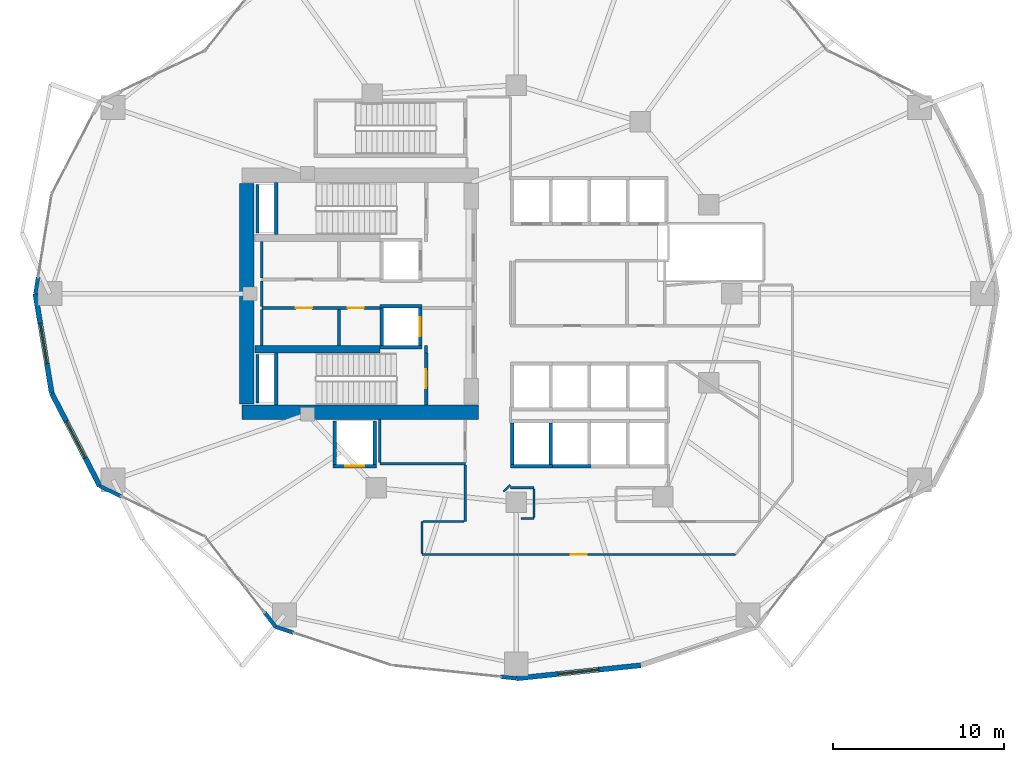
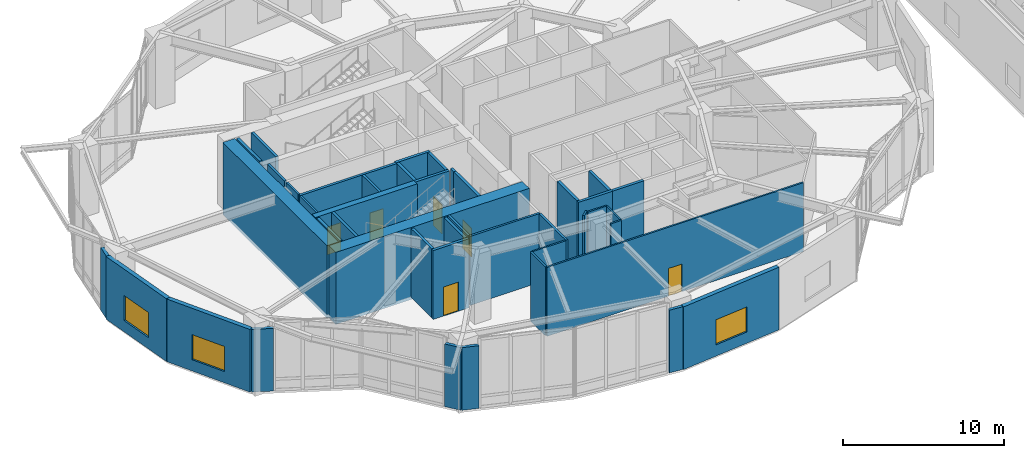
# One storey, part 21 of 29: 43 walls, 6 doors, 3 windows, 9 openings.
"""IFC4 building model written with IfcOpenShell, lengths in metres."""

from ifc_helpers import new_model, si_unit, direction, frame, frame_2d, origin, place, context, subcontext, project, spatial, rectangle, extrude, material, layer, layer_set, type_object, element, fill, save


model = new_model("IFC4")

# Units and contexts
model_context = context("Model", 3, precision=1e-05, world=origin(), true_north=direction((0.0, 1.0)))
body_context = subcontext(model_context, "Body", "Model", "MODEL_VIEW")
ifc_project = project(units=[si_unit("LENGTHUNIT", "METRE"), si_unit("AREAUNIT", "SQUARE_METRE"), si_unit("VOLUMEUNIT", "CUBIC_METRE"), si_unit("PLANEANGLEUNIT", "RADIAN"), si_unit("MASSUNIT", "GRAM", prefix="KILO")], contexts=[model_context])

# Site, building, storey
site_placement = place(None, origin())
site = spatial("IfcSite", under=ifc_project, at=site_placement, CompositionType="ELEMENT")
building_placement = place(site_placement, origin())
building = spatial("IfcBuilding", under=site, at=building_placement, Name="Kolvaren Gate Tower and Convention Centre", CompositionType="ELEMENT")
storey_placement = place(building_placement, frame((0.0, 0.0, 21.0)))
storey = spatial("IfcBuildingStorey", under=building, at=storey_placement, Name="L04", CompositionType="ELEMENT", Elevation=21.0)

# Wall
ifc_material_1 = material(Name="Autoclaved Aerated Masonry Blockwork Class 4 (4.0 MPa)", Category="masonry")
ifc_layer_1 = layer(ifc_material_1, 0.179931640625)
ifc_layer_set_1 = layer_set([ifc_layer_1], Name="Autoclaved Aerated Masonry Blockwork Class 4 (4.0 MPa)")
wall_type_1 = type_object("IfcWallType", Name="ARCH-WL-COMP-180", PredefinedType="SOLIDWALL", material=ifc_layer_set_1)
wall_1_placement = place(storey_placement, frame((24.85009765625, 23.5400390625, 0.0), z_axis=(0.0, 0.0, 1.0), x_axis=(0.0, 1.0, 0.0)))
element("IfcWall", 1, at=wall_1_placement, inside=storey, type_object=wall_type_1, Name="Interior Partition WL-L04-INT-001", PredefinedType="SOLIDWALL", context=body_context, shape_type="SweptSolid", body=[
    extrude(rectangle(XDim=0.419921875, YDim=0.179931640625, at=frame_2d((0.2099609375, 0.0))), origin(), (0.0, 0.0, 1.0), 5.219970703125),
])

# Wall, openings, doors
wall_2_placement = place(storey_placement, frame((15.25, 26.159912109375, 0.0), z_axis=(0.0, 0.0, 1.0), x_axis=(1.0, 0.0, 0.0)))
wall_2 = element("IfcWall", 2, at=wall_2_placement, inside=storey, type_object=wall_type_1, Name="Interior Partition WL-L04-INT-005", PredefinedType="SOLIDWALL", context=body_context, shape_type="SweptSolid", body=[
    extrude(rectangle(XDim=6.89990234375, YDim=0.179931640625, at=frame_2d((3.449951171875, 0.0))), origin(), (0.0, 0.0, 1.0), 5.219970703125),
])
opening_1_placement = place(wall_2_placement, frame((5.02001953125, 0.0, 0.0)))
opening_1 = element("IfcOpeningElement", 3, at=opening_1_placement, cuts=wall_2, Name="Opening DR-01", PredefinedType="OPENING", context=body_context, shape_type="SweptSolid", body=[
    extrude(rectangle(XDim=0.949951171875, YDim=2.10009765625, at=frame_2d((0.47509765625, 1.050048828125))), frame((0.0, 0.099853515625, 0.0), z_axis=(0.0, -1.0, 0.0), x_axis=(1.0, 0.0, 0.0)), (0.0, 0.0, 1.0), 0.199951171875),
])
opening_2_placement = place(wall_2_placement, frame((1.97998046875, 0.0, 0.0)))
opening_2 = element("IfcOpeningElement", 4, at=opening_2_placement, cuts=wall_2, Name="Opening DR-01", PredefinedType="OPENING", context=body_context, shape_type="SweptSolid", body=[
    extrude(rectangle(XDim=0.949951171875, YDim=2.10009765625, at=frame_2d((0.47509765625, 1.050048828125))), frame((0.0, 0.099853515625, 0.0), z_axis=(0.0, -1.0, 0.0), x_axis=(1.0, 0.0, 0.0)), (0.0, 0.0, 1.0), 0.199951171875),
])
ifc_material_2 = material(Name="Painted Architectural Steelwork ASTM A500 Grade C 345 MPa", Category="steel")
door_type_1 = type_object("IfcDoorType", Name="ARCH-DR-RISER-950", OperationType="SINGLE_SWING_RIGHT", PredefinedType="DOOR", material=ifc_material_2)
door_1_placement = place(opening_1_placement, origin())
door_1 = element("IfcDoor", 5, at=door_1_placement, inside=storey, type_object=door_type_1, Name="Domestic Water Meter Closet Door", OperationType="SINGLE_SWING_LEFT", OverallHeight=2.10009765625, OverallWidth=0.949951171875, PredefinedType="DOOR", context=body_context, shape_type="SweptSolid", body=[
    extrude(rectangle(XDim=0.949951171875, YDim=2.10009765625, at=frame_2d((0.47509765625, 1.050048828125))), frame((0.0, 0.02490234375, 0.0), z_axis=(0.0, -1.0, 0.0), x_axis=(1.0, 0.0, 0.0)), (0.0, 0.0, 1.0), 0.050048828125),
])
fill(opening_1, door_1)
door_2_placement = place(opening_2_placement, origin())
door_2 = element("IfcDoor", 6, at=door_2_placement, inside=storey, type_object=door_type_1, Name="Janitor Equipment Store Door", OperationType="SINGLE_SWING_LEFT", OverallHeight=2.10009765625, OverallWidth=0.949951171875, PredefinedType="DOOR", context=body_context, shape_type="SweptSolid", body=[
    extrude(rectangle(XDim=0.949951171875, YDim=2.10009765625, at=frame_2d((0.47509765625, 1.050048828125))), frame((0.0, 0.02490234375, 0.0), z_axis=(0.0, -1.0, 0.0), x_axis=(1.0, 0.0, 0.0)), (0.0, 0.0, 1.0), 0.050048828125),
])
fill(opening_2, door_2)

# Wall
wall_3_placement = place(storey_placement, frame((19.75, 23.9619140625, 0.0), z_axis=(0.0, 0.0, 1.0), x_axis=(0.0, 1.0, 0.0)))
element("IfcWall", 7, at=wall_3_placement, inside=storey, type_object=wall_type_1, Name="Interior Partition WL-L04-INT-007", PredefinedType="SOLIDWALL", context=body_context, shape_type="SweptSolid", body=[
    extrude(rectangle(XDim=2.106201171875, YDim=0.179931640625, at=frame_2d((1.05322265625, 0.0))), origin(), (0.0, 0.0, 1.0), 5.219970703125),
])

# Wall, opening, door
ifc_material_3 = material(Name="Fire-Rated Acoustic Gypsum Stud Partition", Category="gypsum")
ifc_layer_2 = layer(ifc_material_3, 0.1201171875)
ifc_layer_set_2 = layer_set([ifc_layer_2], Name="Fire-Rated Acoustic Gypsum Stud Partition")
wall_type_2 = type_object("IfcWallType", Name="ARCH-WL-PART-120", PredefinedType="PARTITIONING", material=ifc_layer_set_2)
wall_4_placement = place(storey_placement, frame((24.60009765625, 11.75, 0.0), z_axis=(0.0, 0.0, 1.0), x_axis=(1.0, 0.0, 0.0)))
wall_4 = element("IfcWall", 8, at=wall_4_placement, inside=storey, type_object=wall_type_2, Name="Interior Partition WL-L04-INT-027", PredefinedType="PARTITIONING", context=body_context, shape_type="SweptSolid", body=[
    extrude(rectangle(XDim=18.35693359375, YDim=0.1201171875, at=frame_2d((9.178466796875, 0.0))), origin(), (0.0, 0.0, 1.0), 5.219970703125),
])
opening_3_placement = place(wall_4_placement, frame((8.70361328125, 0.0, 0.0)))
opening_3 = element("IfcOpeningElement", 9, at=opening_3_placement, cuts=wall_4, Name="Opening DR-01", PredefinedType="OPENING", context=body_context, shape_type="SweptSolid", body=[
    extrude(rectangle(XDim=0.949951171875, YDim=2.10009765625, at=frame_2d((0.47509765625, 1.050048828125))), frame((0.0, 0.070068359375, 0.0), z_axis=(0.0, -1.0, 0.0), x_axis=(1.0, 0.0, 0.0)), (0.0, 0.0, 1.0), 0.14013671875),
])
door_3_placement = place(opening_3_placement, origin())
door_3 = element("IfcDoor", 10, at=door_3_placement, inside=storey, type_object=door_type_1, Name="Tower Podium Conference Room A Door", OperationType="SINGLE_SWING_LEFT", OverallHeight=2.10009765625, OverallWidth=0.949951171875, PredefinedType="DOOR", context=body_context, shape_type="SweptSolid", body=[
    extrude(rectangle(XDim=0.949951171875, YDim=2.10009765625, at=frame_2d((0.47509765625, 1.050048828125))), frame((0.0, 0.02490234375, 0.0), z_axis=(0.0, -1.0, 0.0), x_axis=(1.0, 0.0, 0.0)), (0.0, 0.0, 1.0), 0.050048828125),
])
fill(opening_3, door_3)

# Walls
wall_5_placement = place(storey_placement, frame((24.60009765625, 11.81201171875, 0.0), z_axis=(0.0, 0.0, 1.0), x_axis=(0.0, 1.0, 0.0)))
element("IfcWall", 11, at=wall_5_placement, inside=storey, type_object=wall_type_2, Name="Interior Partition WL-L04-INT-028", PredefinedType="PARTITIONING", context=body_context, shape_type="SweptSolid", body=[
    extrude(rectangle(XDim=1.85791015625, YDim=0.1201171875, at=frame_2d((0.928955078125, 0.0))), origin(), (0.0, 0.0, 1.0), 5.219970703125),
])
wall_6_placement = place(storey_placement, frame((24.662109375, 13.669921875, 0.0), z_axis=(0.0, 0.0, 1.0), x_axis=(1.0, 0.0, 0.0)))
element("IfcWall", 12, at=wall_6_placement, inside=storey, type_object=wall_type_2, Name="Interior Partition WL-L04-INT-029", PredefinedType="PARTITIONING", context=body_context, shape_type="SweptSolid", body=[
    extrude(rectangle(XDim=2.410888671875, YDim=0.1201171875, at=frame_2d((1.20556640625, 0.0))), origin(), (0.0, 0.0, 1.0), 5.219970703125),
])
wall_7_placement = place(storey_placement, frame((29.780029296875, 15.64990234375, 0.0), z_axis=(0.0, 0.0, 1.0), x_axis=(1.0, 0.0, 0.0)))
element("IfcWall", 13, at=wall_7_placement, inside=storey, type_object=wall_type_2, Name="Interior Partition WL-L04-INT-033", PredefinedType="PARTITIONING", context=body_context, shape_type="SweptSolid", body=[
    extrude(rectangle(XDim=1.369873046875, YDim=0.1201171875, at=frame_2d((0.68505859375, 0.0))), origin(), (0.0, 0.0, 1.0), 5.219970703125),
])
wall_8_placement = place(storey_placement, frame((29.366943359375, 15.422119140625, 0.0), z_axis=(0.0, 0.0, 1.0), x_axis=(0.730667420492, 0.682733564893, 0.0)))
element("IfcWall", 14, at=wall_8_placement, inside=storey, type_object=wall_type_2, Name="Interior Partition WL-L04-INT-037", PredefinedType="PARTITIONING", context=body_context, shape_type="SweptSolid", body=[
    extrude(rectangle(XDim=0.5654296875, YDim=0.1201171875, at=frame_2d((0.28271484375, 0.0))), origin(), (0.0, 0.0, 1.0), 5.219970703125),
])
wall_9_placement = place(storey_placement, frame((30.39111328125, 13.85009765625, 0.0), z_axis=(0.0, 0.0, 1.0), x_axis=(1.0, 0.0, 0.0)))
element("IfcWall", 15, at=wall_9_placement, inside=storey, type_object=wall_type_2, Name="Interior Partition WL-L04-INT-038", PredefinedType="PARTITIONING", context=body_context, shape_type="SweptSolid", body=[
    extrude(rectangle(XDim=0.7587890625, YDim=0.1201171875, at=frame_2d((0.37939453125, 0.0))), origin(), (0.0, 0.0, 1.0), 5.219970703125),
])
wall_10_placement = place(storey_placement, frame((31.14990234375, 13.912109375, 0.0), z_axis=(0.0, 0.0, 1.0), x_axis=(0.0, 1.0, 0.0)))
element("IfcWall", 16, at=wall_10_placement, inside=storey, type_object=wall_type_2, Name="Interior Partition WL-L04-INT-039", PredefinedType="PARTITIONING", context=body_context, shape_type="SweptSolid", body=[
    extrude(rectangle(XDim=1.67578125, YDim=0.1201171875, at=frame_2d((0.837890625, 0.0))), origin(), (0.0, 0.0, 1.0), 5.219970703125),
])
ifc_material_4 = material(Name="Bogota Sabana Bush-Hammered Sandstone Cladding", Category="masonry")
ifc_layer_3 = layer(ifc_material_4, 0.219970703125)
ifc_layer_set_3 = layer_set([ifc_layer_3], Name="Bogota Sabana Bush-Hammered Sandstone Cladding")
wall_type_3 = type_object("IfcWallType", Name="ARCH-WL-PIER-220", PredefinedType="SOLIDWALL", material=ifc_layer_set_3)
wall_11_placement = place(storey_placement, frame((2.0, 27.0, 0.0), z_axis=(0.0, 0.0, 1.0), x_axis=(0.162253212939, 0.986749154999, 0.0)))
element("IfcWall", 17, at=wall_11_placement, inside=storey, type_object=wall_type_3, Name="Tower L04 Unitised Curtain Wall CW-POD-GLZ Bay 11 Left Column Pier Wrap", PredefinedType="SOLIDWALL", context=body_context, shape_type="SweptSolid", body=[
    extrude(rectangle(XDim=0.97802734375, YDim=0.219970703125, at=frame_2d((0.489013671875, 0.0))), origin(), (0.0, 0.0, 1.0), 4.742919921875),
])
wall_12_placement = place(storey_placement, frame((5.76806640625, 15.75, 0.0), z_axis=(0.0, 0.0, 1.0), x_axis=(0.90131879969, -0.433156347438, 0.0)))
element("IfcWall", 18, at=wall_12_placement, inside=storey, type_object=wall_type_3, Name="Tower L04 Unitised Curtain Wall CW-POD-GLZ Bay 14 Left Column Pier Wrap", PredefinedType="SOLIDWALL", context=body_context, shape_type="SweptSolid", body=[
    extrude(rectangle(XDim=1.380859375, YDim=0.219970703125, at=frame_2d((0.6904296875, 0.0))), origin(), (0.0, 0.0, 1.0), 4.742919921875),
])
wall_13_placement = place(storey_placement, frame((15.39892578125, 8.36181640625, 0.0), z_axis=(0.0, 0.0, 1.0), x_axis=(0.616528421162, -0.787332652632, 0.0)))
element("IfcWall", 19, at=wall_13_placement, inside=storey, type_object=wall_type_3, Name="Tower L04 Unitised Curtain Wall CW-POD-GLZ Bay 15 Right Column Pier Wrap", PredefinedType="SOLIDWALL", context=body_context, shape_type="SweptSolid", body=[
    extrude(rectangle(XDim=1.076416015625, YDim=0.219970703125, at=frame_2d((0.5380859375, 0.0))), origin(), (0.0, 0.0, 1.0), 4.742919921875),
])
wall_14_placement = place(storey_placement, frame((16.0625, 7.514404296875, 0.0), z_axis=(0.0, 0.0, 1.0), x_axis=(0.949217086672, -0.314621872045, 0.0)))
element("IfcWall", 20, at=wall_14_placement, inside=storey, type_object=wall_type_3, Name="Tower L04 Unitised Curtain Wall CW-POD-GLZ Bay 16 Left Column Pier Wrap", PredefinedType="SOLIDWALL", context=body_context, shape_type="SweptSolid", body=[
    extrude(rectangle(XDim=1.094970703125, YDim=0.219970703125, at=frame_2d((0.54736328125, 0.0))), origin(), (0.0, 0.0, 1.0), 4.742919921875),
])
wall_15_placement = place(storey_placement, frame((29.201416015625, 4.597412109375, 0.0), z_axis=(0.0, 0.0, 1.0), x_axis=(0.994483824972, -0.104890046567, 0.0)))
element("IfcWall", 21, at=wall_15_placement, inside=storey, type_object=wall_type_3, Name="Tower L04 Unitised Curtain Wall CW-POD-GLZ Bay 17 Right Column Pier Wrap", PredefinedType="SOLIDWALL", context=body_context, shape_type="SweptSolid", body=[
    extrude(rectangle(XDim=0.9287109375, YDim=0.219970703125, at=frame_2d((0.46435546875, 0.0))), origin(), (0.0, 0.0, 1.0), 4.742919921875),
])
ifc_layer_4 = layer(ifc_material_1, 0.199951171875)
ifc_layer_set_4 = layer_set([ifc_layer_4], Name="Autoclaved Aerated Masonry Blockwork Class 4 (4.0 MPa)")
wall_type_4 = type_object("IfcWallType", Name="ARCH-WL-SHAFT-200", PredefinedType="SOLIDWALL", material=ifc_layer_set_4)
for number, where, z_axis, x_axis, name in (
    (22, (22.14990234375, 26.260009765625, 0.0), (0.0, 0.0, 1.0), (1.0, 0.0, 0.0), "Elevator FF-02 L04 Fire Shaft Wall N"),
    (23, (22.14990234375, 23.860107421875, 0.0), (0.0, 0.0, 1.0), (1.0, 0.0, 0.0), "Elevator FF-02 L04 Fire Shaft Wall S"),
):
    element("IfcWall", number, at=place(storey_placement, frame(where, z_axis=z_axis, x_axis=x_axis)), inside=storey, type_object=wall_type_4, Name=name, PredefinedType="SOLIDWALL", context=body_context, shape_type="SweptSolid", body=[
        extrude(rectangle(XDim=2.4501953125, YDim=0.199951171875, at=frame_2d((1.22509765625, 0.0))), origin(), (0.0, 0.0, 1.0), 5.219970703125),
    ])
wall_16_placement = place(storey_placement, frame((22.25, 23.969970703125, 0.0), z_axis=(0.0, 0.0, 1.0), x_axis=(0.0, 1.0, 0.0)))
element("IfcWall", 24, at=wall_16_placement, inside=storey, type_object=wall_type_4, Name="Elevator FF-02 L04 Fire Shaft Wall W", PredefinedType="SOLIDWALL", context=body_context, shape_type="SweptSolid", body=[
    extrude(rectangle(XDim=2.179931640625, YDim=0.199951171875, at=frame_2d((1.08984375, 0.0))), origin(), (0.0, 0.0, 1.0), 5.219970703125),
])

# Wall, opening, door
wall_17_placement = place(storey_placement, frame((24.5, 23.969970703125, 0.0), z_axis=(0.0, 0.0, 1.0), x_axis=(0.0, 1.0, 0.0)))
wall_17 = element("IfcWall", 25, at=wall_17_placement, inside=storey, type_object=wall_type_4, Name="Elevator FF-02 L04 Fire Shaft Wall E", PredefinedType="SOLIDWALL", context=body_context, shape_type="SweptSolid", body=[
    extrude(rectangle(XDim=2.179931640625, YDim=0.199951171875, at=frame_2d((1.08984375, 0.0))), origin(), (0.0, 0.0, 1.0), 5.219970703125),
])
opening_4_placement = place(wall_17_placement, frame((0.5400390625, 0.0, 0.0)))
opening_4 = element("IfcOpeningElement", 26, at=opening_4_placement, cuts=wall_17, Name="Opening LD", PredefinedType="OPENING", context=body_context, shape_type="SweptSolid", body=[
    extrude(rectangle(XDim=1.10009765625, YDim=2.199951171875, at=frame_2d((0.550048828125, 1.10009765625))), frame((0.0, 0.10986328125, 0.0), z_axis=(0.0, -1.0, 0.0), x_axis=(1.0, 0.0, 0.0)), (0.0, 0.0, 1.0), 0.219970703125),
])
ifc_material_5 = material(Name="Brushed Stainless Steel Grade 316L", Category="steel")
door_type_2 = type_object("IfcDoorType", Name="ARCH-DR-LIFT-1100", OperationType="SLIDING_TO_LEFT", PredefinedType="DOOR", material=ifc_material_5)
door_4_placement = place(opening_4_placement, origin())
door_4 = element("IfcDoor", 27, at=door_4_placement, inside=storey, type_object=door_type_2, Name="Elevator FF-02 L04 Sliding Landing Door", OperationType="SLIDING_TO_LEFT", OverallHeight=2.199951171875, OverallWidth=1.10009765625, PredefinedType="DOOR", context=body_context, shape_type="SweptSolid", body=[
    extrude(rectangle(XDim=1.10009765625, YDim=2.199951171875, at=frame_2d((0.550048828125, 1.10009765625))), frame((0.0, 0.02490234375, 0.0), z_axis=(0.0, -1.0, 0.0), x_axis=(1.0, 0.0, 0.0)), (0.0, 0.0, 1.0), 0.050048828125),
])
fill(opening_4, door_4)

wall_18_placement = place(storey_placement, frame((19.39990234375, 16.89990234375, 0.0), z_axis=(0.0, 0.0, 1.0), x_axis=(1.0, 0.0, 0.0)))
wall_18 = element("IfcWall", 28, at=wall_18_placement, inside=storey, type_object=wall_type_4, Name="Elevator SV-01 L04 Fire Shaft Wall S", PredefinedType="SOLIDWALL", context=body_context, shape_type="SweptSolid", body=[
    extrude(rectangle(XDim=2.550048828125, YDim=0.199951171875, at=frame_2d((1.27490234375, 0.0))), origin(), (0.0, 0.0, 1.0), 5.219970703125),
])
opening_5_placement = place(wall_18_placement, frame((0.72509765625, 0.0, 0.0)))
opening_5 = element("IfcOpeningElement", 29, at=opening_5_placement, cuts=wall_18, Name="Opening LD", PredefinedType="OPENING", context=body_context, shape_type="SweptSolid", body=[
    extrude(rectangle(XDim=1.10009765625, YDim=2.199951171875, at=frame_2d((0.550048828125, 1.10009765625))), frame((0.0, 0.10986328125, 0.0), z_axis=(0.0, -1.0, 0.0), x_axis=(1.0, 0.0, 0.0)), (0.0, 0.0, 1.0), 0.219970703125),
])
door_5_placement = place(opening_5_placement, origin())
door_5 = element("IfcDoor", 30, at=door_5_placement, inside=storey, type_object=door_type_2, Name="Elevator SV-01 L04 Sliding Landing Door", OperationType="SLIDING_TO_LEFT", OverallHeight=2.199951171875, OverallWidth=1.10009765625, PredefinedType="DOOR", context=body_context, shape_type="SweptSolid", body=[
    extrude(rectangle(XDim=1.10009765625, YDim=2.199951171875, at=frame_2d((0.550048828125, 1.10009765625))), frame((0.0, 0.02490234375, 0.0), z_axis=(0.0, -1.0, 0.0), x_axis=(1.0, 0.0, 0.0)), (0.0, 0.0, 1.0), 0.050048828125),
])
fill(opening_5, door_5)

# Walls
for number, where, z_axis, x_axis, name in (
    (31, (19.5, 17.010009765625, 0.0), (0.0, 0.0, 1.0), (0.0, 1.0, 0.0), "Elevator SV-01 L04 Fire Shaft Wall W"),
    (32, (21.85009765625, 17.010009765625, 0.0), (0.0, 0.0, 1.0), (0.0, 1.0, 0.0), "Elevator SV-01 L04 Fire Shaft Wall E"),
):
    element("IfcWall", number, at=place(storey_placement, frame(where, z_axis=z_axis, x_axis=x_axis)), inside=storey, type_object=wall_type_4, Name=name, PredefinedType="SOLIDWALL", context=body_context, shape_type="SweptSolid", body=[
        extrude(rectangle(XDim=2.530029296875, YDim=0.199951171875, at=frame_2d((1.26513671875, 0.0))), origin(), (0.0, 0.0, 1.0), 5.219970703125),
    ])
wall_19_placement = place(storey_placement, frame((29.800048828125, 16.89990234375, 0.0), z_axis=(0.0, 0.0, 1.0), x_axis=(1.0, 0.0, 0.0)))
element("IfcWall", 33, at=wall_19_placement, inside=storey, type_object=wall_type_4, Name="Elevator PL-05 L04 Fire Shaft Wall S", PredefinedType="SOLIDWALL", context=body_context, shape_type="SweptSolid", body=[
    extrude(rectangle(XDim=2.449951171875, YDim=0.199951171875, at=frame_2d((1.22509765625, 0.0))), origin(), (0.0, 0.0, 1.0), 5.219970703125),
])
for number, where, z_axis, x_axis, name in (
    (34, (29.89990234375, 17.010009765625, 0.0), (0.0, 0.0, 1.0), (0.0, 1.0, 0.0), "Elevator PL-05 L04 Fire Shaft Wall W"),
    (35, (32.14990234375, 17.010009765625, 0.0), (0.0, 0.0, 1.0), (0.0, 1.0, 0.0), "Elevator PL-05 L04 Fire Shaft Wall E"),
):
    element("IfcWall", number, at=place(storey_placement, frame(where, z_axis=z_axis, x_axis=x_axis)), inside=storey, type_object=wall_type_4, Name=name, PredefinedType="SOLIDWALL", context=body_context, shape_type="SweptSolid", body=[
        extrude(rectangle(XDim=2.429931640625, YDim=0.199951171875, at=frame_2d((1.21484375, 0.0))), origin(), (0.0, 0.0, 1.0), 5.219970703125),
    ])
wall_20_placement = place(storey_placement, frame((32.25, 16.89990234375, 0.0), z_axis=(0.0, 0.0, 1.0), x_axis=(1.0, 0.0, 0.0)))
element("IfcWall", 36, at=wall_20_placement, inside=storey, type_object=wall_type_4, Name="Elevator PL-06 L04 Fire Shaft Wall S", PredefinedType="SOLIDWALL", context=body_context, shape_type="SweptSolid", body=[
    extrude(rectangle(XDim=2.25, YDim=0.199951171875, at=frame_2d((1.125, 0.0))), origin(), (0.0, 0.0, 1.0), 5.219970703125),
])
for number, where, z_axis, x_axis, name in (
    (37, (14.989990234375, 30.550048828125, 0.0), (0.0, 0.0, 1.0), (0.0, 1.0, 0.0), "Vertical Shaft HVR L04 EI-120 Enclosure Wall W"),
    (38, (14.989990234375, 20.60009765625, 0.0), (0.0, 0.0, 1.0), (0.0, 1.0, 0.0), "Vertical Shaft MPR L04 EI-120 Enclosure Wall W"),
):
    element("IfcWall", number, at=place(storey_placement, frame(where, z_axis=z_axis, x_axis=x_axis)), inside=storey, type_object=wall_type_4, Name=name, PredefinedType="SOLIDWALL", context=body_context, shape_type="SweptSolid", body=[
        extrude(rectangle(XDim=2.849853515625, YDim=0.199951171875, at=frame_2d((1.4248046875, 0.0))), origin(), (0.0, 0.0, 1.0), 5.219970703125),
    ])

# Wall, opening, window
ifc_material_6 = material(Name="Piedmont Cream Honed Limestone Cladding", Category="masonry")
ifc_layer_5 = layer(ifc_material_6, 0.300048828125)
ifc_layer_set_5 = layer_set([ifc_layer_5], Name="Piedmont Cream Honed Limestone Cladding")
wall_type_5 = type_object("IfcWallType", Name="ARCH-WL-STONE-300", PredefinedType="SOLIDWALL", material=ifc_layer_set_5)
wall_21_placement = place(storey_placement, frame((2.0, 27.0, 0.0), z_axis=(0.0, 0.0, 1.0), x_axis=(0.162366057843, -0.98673059305, 0.0)))
wall_21 = element("IfcWall", 39, at=wall_21_placement, inside=storey, type_object=wall_type_5, Name="Tower L04 Honed Stone Spandrel Wall EW-12", PredefinedType="SOLIDWALL", context=body_context, shape_type="SweptSolid", body=[
    extrude(rectangle(XDim=5.90185546875, YDim=0.300048828125, at=frame_2d((2.950927734375, 0.0))), origin(), (0.0, 0.0, 1.0), 4.742919921875),
])
opening_6_placement = place(wall_21_placement, frame((1.7509765625, 0.0, 0.85009765625)))
opening_6 = element("IfcOpeningElement", 40, at=opening_6_placement, cuts=wall_21, Name="Opening W-01", PredefinedType="OPENING", context=body_context, shape_type="SweptSolid", body=[
    extrude(rectangle(XDim=2.39990234375, YDim=1.89990234375, at=frame_2d((1.199951171875, 0.949951171875))), frame((0.0, 0.159912109375, 0.0), z_axis=(0.0, -1.0, 0.0), x_axis=(1.0, 0.0, 0.0)), (0.0, 0.0, 1.0), 0.320068359375),
])
ifc_material_7 = material(Name="Low-E Triple Insulated Glazing Unit 44 mm", Category="glass")
window_type = type_object("IfcWindowType", Name="ARCH-WN-OFF-2400", PartitioningType="SINGLE_PANEL", PredefinedType="WINDOW", material=ifc_material_7)
window_1_placement = place(opening_6_placement, origin())
window_1 = element("IfcWindow", 41, at=window_1_placement, inside=storey, type_object=window_type, Name="Tower L04 Punched Stone Facade Window W-12", OverallHeight=1.89990234375, OverallWidth=2.39990234375, PartitioningType="SINGLE_PANEL", PredefinedType="WINDOW", context=body_context, shape_type="SweptSolid", body=[
    extrude(rectangle(XDim=2.39990234375, YDim=1.89990234375, at=frame_2d((1.199951171875, 0.949951171875))), frame((0.0, 0.030029296875, 0.0), z_axis=(0.0, -1.0, 0.0), x_axis=(1.0, 0.0, 0.0)), (0.0, 0.0, 1.0), 0.06005859375),
])
fill(opening_6, window_1)

wall_22_placement = place(storey_placement, frame((2.958251953125, 21.176513671875, 0.0), z_axis=(0.0, 0.0, 1.0), x_axis=(0.459809804413, -0.88801742312, 0.0)))
wall_22 = element("IfcWall", 42, at=wall_22_placement, inside=storey, type_object=wall_type_5, Name="Tower L04 Honed Stone Spandrel Wall EW-13", PredefinedType="SOLIDWALL", context=body_context, shape_type="SweptSolid", body=[
    extrude(rectangle(XDim=6.11083984375, YDim=0.300048828125, at=frame_2d((3.055419921875, 0.0))), origin(), (0.0, 0.0, 1.0), 4.742919921875),
])
opening_7_placement = place(wall_22_placement, frame((1.85498046875, 0.0, 0.85009765625)))
opening_7 = element("IfcOpeningElement", 43, at=opening_7_placement, cuts=wall_22, Name="Opening W-01", PredefinedType="OPENING", context=body_context, shape_type="SweptSolid", body=[
    extrude(rectangle(XDim=2.39990234375, YDim=1.89990234375, at=frame_2d((1.199951171875, 0.949951171875))), frame((0.0, 0.159912109375, 0.0), z_axis=(0.0, -1.0, 0.0), x_axis=(1.0, 0.0, 0.0)), (0.0, 0.0, 1.0), 0.320068359375),
])
window_2_placement = place(opening_7_placement, origin())
window_2 = element("IfcWindow", 44, at=window_2_placement, inside=storey, type_object=window_type, Name="Tower L04 Punched Stone Facade Window W-13", OverallHeight=1.89990234375, OverallWidth=2.39990234375, PartitioningType="SINGLE_PANEL", PredefinedType="WINDOW", context=body_context, shape_type="SweptSolid", body=[
    extrude(rectangle(XDim=2.39990234375, YDim=1.89990234375, at=frame_2d((1.199951171875, 0.949951171875))), frame((0.0, 0.030029296875, 0.0), z_axis=(0.0, -1.0, 0.0), x_axis=(1.0, 0.0, 0.0)), (0.0, 0.0, 1.0), 0.06005859375),
])
fill(opening_7, window_2)

wall_23_placement = place(storey_placement, frame((30.125, 4.5, 0.0), z_axis=(0.0, 0.0, 1.0), x_axis=(0.994500334317, 0.104733399844, 0.0)))
wall_23 = element("IfcWall", 45, at=wall_23_placement, inside=storey, type_object=wall_type_5, Name="Tower L04 Honed Stone Spandrel Wall EW-18", PredefinedType="SOLIDWALL", context=body_context, shape_type="SweptSolid", body=[
    extrude(rectangle(XDim=7.319580078125, YDim=0.300048828125, at=frame_2d((3.65966796875, 0.0))), origin(), (0.0, 0.0, 1.0), 4.742919921875),
])
opening_8_placement = place(wall_23_placement, frame((2.4599609375, 0.0, 0.85009765625)))
opening_8 = element("IfcOpeningElement", 46, at=opening_8_placement, cuts=wall_23, Name="Opening W-01", PredefinedType="OPENING", context=body_context, shape_type="SweptSolid", body=[
    extrude(rectangle(XDim=2.39990234375, YDim=1.89990234375, at=frame_2d((1.199951171875, 0.949951171875))), frame((0.0, 0.159912109375, 0.0), z_axis=(0.0, -1.0, 0.0), x_axis=(1.0, 0.0, 0.0)), (0.0, 0.0, 1.0), 0.320068359375),
])
window_3_placement = place(opening_8_placement, origin())
window_3 = element("IfcWindow", 47, at=window_3_placement, inside=storey, type_object=window_type, Name="Tower L04 Punched Stone Facade Window W-18", OverallHeight=1.89990234375, OverallWidth=2.39990234375, PartitioningType="SINGLE_PANEL", PredefinedType="WINDOW", context=body_context, shape_type="SweptSolid", body=[
    extrude(rectangle(XDim=2.39990234375, YDim=1.89990234375, at=frame_2d((1.199951171875, 0.949951171875))), frame((0.0, 0.030029296875, 0.0), z_axis=(0.0, -1.0, 0.0), x_axis=(1.0, 0.0, 0.0)), (0.0, 0.0, 1.0), 0.06005859375),
])
fill(opening_8, window_3)

# Walls
ifc_material_8 = material(Name="Moisture-Resistant Cement-Board Acoustic Partition", Category="gypsum")
ifc_layer_6 = layer(ifc_material_8, 0.14990234375)
ifc_layer_set_6 = layer_set([ifc_layer_6], Name="Moisture-Resistant Cement-Board Acoustic Partition")
wall_type_6 = type_object("IfcWallType", Name="ARCH-WL-WET-150", PredefinedType="PARTITIONING", material=ifc_layer_set_6)
wall_24_placement = place(storey_placement, frame((15.25, 23.9619140625, 0.0), z_axis=(0.0, 0.0, 1.0), x_axis=(0.0, 1.0, 0.0)))
element("IfcWall", 48, at=wall_24_placement, inside=storey, type_object=wall_type_6, Name="Interior Partition WL-L04-INT-006", PredefinedType="PARTITIONING", context=body_context, shape_type="SweptSolid", body=[
    extrude(rectangle(XDim=2.106201171875, YDim=0.14990234375, at=frame_2d((1.05322265625, 0.0))), origin(), (0.0, 0.0, 1.0), 5.219970703125),
])
wall_25_placement = place(storey_placement, frame((15.25, 26.251953125, 0.0), z_axis=(0.0, 0.0, 1.0), x_axis=(0.0, 1.0, 0.0)))
element("IfcWall", 49, at=wall_25_placement, inside=storey, type_object=wall_type_6, Name="Interior Partition WL-L04-INT-006 (2)", PredefinedType="PARTITIONING", context=body_context, shape_type="SweptSolid", body=[
    extrude(rectangle(XDim=1.49609375, YDim=0.14990234375, at=frame_2d((0.748046875, 0.0))), origin(), (0.0, 0.0, 1.0), 5.219970703125),
])
wall_26_placement = place(storey_placement, frame((15.25, 27.931884765625, 0.0), z_axis=(0.0, 0.0, 1.0), x_axis=(0.0, 1.0, 0.0)))
element("IfcWall", 50, at=wall_26_placement, inside=storey, type_object=wall_type_6, Name="Interior Partition WL-L04-INT-006 (3)", PredefinedType="PARTITIONING", context=body_context, shape_type="SweptSolid", body=[
    extrude(rectangle(XDim=2.106201171875, YDim=0.14990234375, at=frame_2d((1.05322265625, 0.0))), origin(), (0.0, 0.0, 1.0), 5.219970703125),
])
wall_27_placement = place(storey_placement, frame((22.14990234375, 17.050048828125, 0.0), z_axis=(0.0, 0.0, 1.0), x_axis=(1.0, 0.0, 0.0)))
element("IfcWall", 51, at=wall_27_placement, inside=storey, type_object=wall_type_6, Name="Interior Partition WL-L04-INT-009", PredefinedType="PARTITIONING", context=body_context, shape_type="SweptSolid", body=[
    extrude(rectangle(XDim=5.0, YDim=0.14990234375, at=frame_2d((2.5, 0.0))), origin(), (0.0, 0.0, 1.0), 5.219970703125),
])
wall_28_placement = place(storey_placement, frame((22.14990234375, 17.126953125, 0.0), z_axis=(0.0, 0.0, 1.0), x_axis=(0.0, 1.0, 0.0)))
element("IfcWall", 52, at=wall_28_placement, inside=storey, type_object=wall_type_6, Name="Interior Partition WL-L04-INT-010", PredefinedType="PARTITIONING", context=body_context, shape_type="SweptSolid", body=[
    extrude(rectangle(XDim=2.52099609375, YDim=0.14990234375, at=frame_2d((1.260498046875, 0.0))), origin(), (0.0, 0.0, 1.0), 5.219970703125),
])
wall_29_placement = place(storey_placement, frame((27.14990234375, 13.669921875, 0.0), z_axis=(0.0, 0.0, 1.0), x_axis=(0.0, 1.0, 0.0)))
element("IfcWall", 53, at=wall_29_placement, inside=storey, type_object=wall_type_6, Name="Interior Partition WL-L04-INT-011", PredefinedType="PARTITIONING", context=body_context, shape_type="SweptSolid", body=[
    extrude(rectangle(XDim=3.302978515625, YDim=0.14990234375, at=frame_2d((1.6513671875, 0.0))), origin(), (0.0, 0.0, 1.0), 5.219970703125),
])
ifc_material_9 = material(Name="Concrete C50/60", Category="concrete")
ifc_layer_7 = layer(ifc_material_9, 0.419921875)
ifc_layer_set_7 = layer_set([ifc_layer_7], Name="Concrete C50/60")
wall_type_7 = type_object("IfcWallType", Name="STR-WL-CONV-420", PredefinedType="SHEAR", material=ifc_layer_set_7)
wall_30_placement = place(storey_placement, frame((14.85009765625, 23.75, -0.239990234375), z_axis=(0.0, 0.0, 1.0), x_axis=(1.0, 0.0, 0.0)))
element("IfcWall", 54, at=wall_30_placement, inside=storey, type_object=wall_type_7, Name="Tower L04 Offset Core Shear Wall WS", PredefinedType="SHEAR", context=body_context, shape_type="SweptSolid", body=[
    extrude(rectangle(XDim=7.2998046875, YDim=0.419921875, at=frame_2d((3.64990234375, 0.0))), origin(), (0.0, 0.0, 1.0), 5.4599609375),
])
ifc_material_10 = material(Name="Concrete C70/85", Category="concrete")
ifc_layer_8 = layer(ifc_material_10, 0.85009765625)
ifc_layer_set_8 = layer_set([ifc_layer_8], Name="Concrete C70/85")
wall_type_8 = type_object("IfcWallType", Name="STR-WL-CORE-850", PredefinedType="SHEAR", material=ifc_layer_set_8)
wall_31_placement = place(storey_placement, frame((14.074951171875, 20.074951171875, -0.239990234375), z_axis=(0.0, 0.0, 1.0), x_axis=(1.0, 0.0, 0.0)))
element("IfcWall", 55, at=wall_31_placement, inside=storey, type_object=wall_type_8, Name="Tower L04 Offset Core Shear Wall S", PredefinedType="SHEAR", context=body_context, shape_type="SweptSolid", body=[
    extrude(rectangle(XDim=13.85009765625, YDim=0.85009765625, at=frame_2d((6.925048828125, 0.0))), origin(), (0.0, 0.0, 1.0), 5.4599609375),
])
wall_32_placement = place(storey_placement, frame((14.375, 20.550048828125, -0.239990234375), z_axis=(0.0, 0.0, 1.0), x_axis=(0.0, 1.0, 0.0)))
element("IfcWall", 56, at=wall_32_placement, inside=storey, type_object=wall_type_8, Name="Tower L04 Offset Core Shear Wall W", PredefinedType="SHEAR", context=body_context, shape_type="SweptSolid", body=[
    extrude(rectangle(XDim=12.89990234375, YDim=0.85009765625, at=frame_2d((6.449951171875, 0.0))), origin(), (0.0, 0.0, 1.0), 5.4599609375),
])
ifc_layer_9 = layer(ifc_material_9, 0.199951171875)
ifc_layer_set_9 = layer_set([ifc_layer_9], Name="Concrete C50/60")
wall_type_9 = type_object("IfcWallType", Name="STR-WL-SHAFT-200", PredefinedType="SHEAR", material=ifc_layer_set_9)
wall_33_placement = place(storey_placement, frame((16.10009765625, 30.4619140625, -0.239990234375), z_axis=(0.0, 0.0, 1.0), x_axis=(0.0, 1.0, 0.0)))
element("IfcWall", 57, at=wall_33_placement, inside=storey, type_object=wall_type_9, Name="Tower North Exit Stair ST-T1 L04 Structural Shear Enclosure Wall FAR", PredefinedType="SHEAR", context=body_context, shape_type="SweptSolid", body=[
    extrude(rectangle(XDim=3.0361328125, YDim=0.199951171875, at=frame_2d((1.51806640625, 0.0))), origin(), (0.0, 0.0, 1.0), 5.4599609375),
])

# Wall, opening, door
wall_34_placement = place(storey_placement, frame((24.85009765625, 20.501953125, -0.239990234375), z_axis=(0.0, 0.0, 1.0), x_axis=(0.0, 1.0, 0.0)))
wall_34 = element("IfcWall", 58, at=wall_34_placement, inside=storey, type_object=wall_type_9, Name="Tower South Exit Stair ST-T2 L04 Structural Shear Enclosure Wall NEAR", PredefinedType="SHEAR", context=body_context, shape_type="SweptSolid", body=[
    extrude(rectangle(XDim=3.0380859375, YDim=0.199951171875, at=frame_2d((1.51904296875, 0.0))), origin(), (0.0, 0.0, 1.0), 5.4599609375),
])
opening_9_placement = place(wall_34_placement, frame((0.968994140625, 0.0, 0.239990234375)))
opening_9 = element("IfcOpeningElement", 59, at=opening_9_placement, cuts=wall_34, Name="Opening DS-01", PredefinedType="OPENING", context=body_context, shape_type="SweptSolid", body=[
    extrude(rectangle(XDim=1.10009765625, YDim=2.14990234375, at=frame_2d((0.550048828125, 1.074951171875))), frame((0.0, 0.10986328125, 0.0), z_axis=(0.0, -1.0, 0.0), x_axis=(1.0, 0.0, 0.0)), (0.0, 0.0, 1.0), 0.219970703125),
])
door_type_3 = type_object("IfcDoorType", Name="ARCH-DR-STAIR-1100", OperationType="SINGLE_SWING_LEFT", PredefinedType="DOOR", material=ifc_material_2)
door_6_placement = place(opening_9_placement, origin())
door_6 = element("IfcDoor", 60, at=door_6_placement, inside=storey, type_object=door_type_3, Name="Tower South Exit Stair ST-T2 L04 Fire Exit Stair Door", OperationType="SINGLE_SWING_RIGHT", OverallHeight=2.14990234375, OverallWidth=1.10009765625, PredefinedType="DOOR", context=body_context, shape_type="SweptSolid", body=[
    extrude(rectangle(XDim=1.10009765625, YDim=2.14990234375, at=frame_2d((0.550048828125, 1.074951171875))), frame((0.0, 0.02490234375, 0.0), z_axis=(0.0, -1.0, 0.0), x_axis=(1.0, 0.0, 0.0)), (0.0, 0.0, 1.0), 0.050048828125),
])
fill(opening_9, door_6)

# Wall
wall_35_placement = place(storey_placement, frame((16.10009765625, 20.501953125, -0.239990234375), z_axis=(0.0, 0.0, 1.0), x_axis=(0.0, 1.0, 0.0)))
element("IfcWall", 61, at=wall_35_placement, inside=storey, type_object=wall_type_9, Name="Tower South Exit Stair ST-T2 L04 Structural Shear Enclosure Wall FAR", PredefinedType="SHEAR", context=body_context, shape_type="SweptSolid", body=[
    extrude(rectangle(XDim=3.0361328125, YDim=0.199951171875, at=frame_2d((1.51806640625, 0.0))), origin(), (0.0, 0.0, 1.0), 5.4599609375),
])

save(model, "model.ifc")
